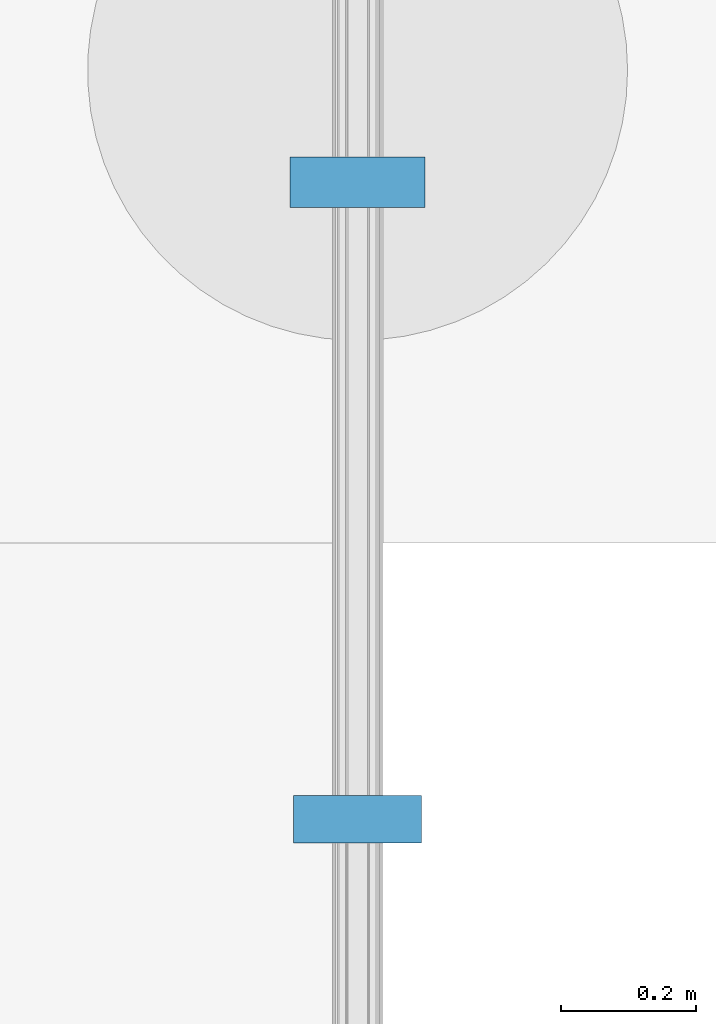
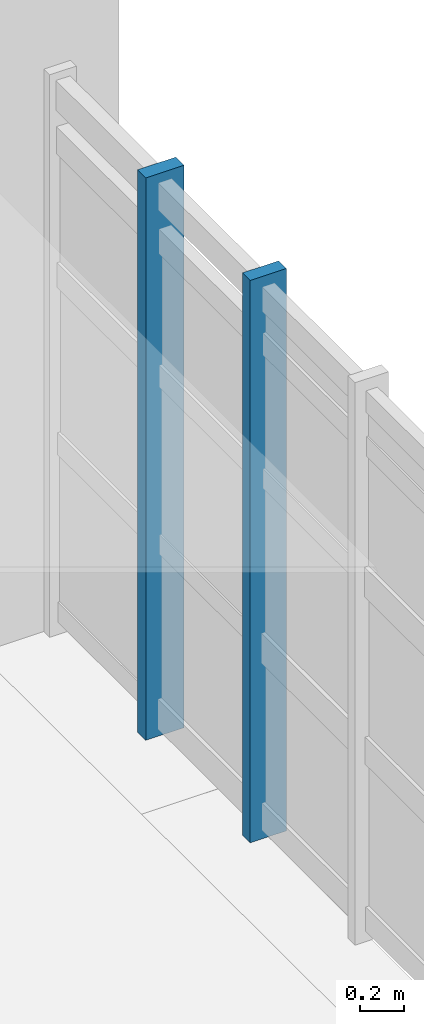
# One storey, part 49 of 125: 2 members, 1 element without a shape of its own.
"""IFC4 building model written with IfcOpenShell, lengths in metres."""

from ifc_helpers import new_model, si_unit, direction, frame, origin, origin_2d, place, context, subcontext, project, spatial, rectangle, extrude, material, material_profile, profile_set, type_object, element, aggregate, save


model = new_model("IFC4")

# Units and contexts
model_context = context("Model", 3, precision=1e-05, world=origin(), true_north=direction((0.0, 1.0)))
body_context = subcontext(model_context, "Body", "Model", "MODEL_VIEW")
ifc_project = project(units=[si_unit("LENGTHUNIT", "METRE"), si_unit("AREAUNIT", "SQUARE_METRE"), si_unit("VOLUMEUNIT", "CUBIC_METRE"), si_unit("PLANEANGLEUNIT", "RADIAN"), si_unit("MASSUNIT", "GRAM", prefix="KILO")], contexts=[model_context])

# Site, building, storey
site_placement = place(None, origin())
site = spatial("IfcSite", under=ifc_project, at=site_placement, CompositionType="ELEMENT")
building_placement = place(site_placement, origin())
building = spatial("IfcBuilding", under=site, at=building_placement, Name="Serraforn Aerial Cableway Station", CompositionType="ELEMENT")
storey_placement = place(building_placement, frame((0.0, 0.0, 4.5)))
storey = spatial("IfcBuildingStorey", under=building, at=storey_placement, Name="L01", CompositionType="ELEMENT", Elevation=4.5)

# Curtain wall, members
ifc_material_1 = material(Name="Anodised bronze unitised curtain wall")
curtain_wall_type = type_object("IfcCurtainWallType", Name="CW-SYS-18", PredefinedType="USERDEFINED", material=ifc_material_1)
curtain_wall_placement = place(storey_placement, origin())
curtain_wall = element("IfcCurtainWall", 1, at=curtain_wall_placement, inside=storey, type_object=curtain_wall_type, Name="Unitised Curtain Wall CW-EG-L01-E6B", ObjectType="UNITISED CURTAIN WALL", PredefinedType="USERDEFINED")
ifc_material_2 = material(Name="Anodised bronze extruded aluminium", Category="aluminium")
ifc_material_profile_1 = material_profile(ifc_material_2, rectangle(XDim=0.070068359375, YDim=0.18994140625, at=origin_2d()), Name="CW MULLION 70x190")
ifc_profile_set_1 = profile_set([ifc_material_profile_1], Name="Anodised bronze extruded aluminium")
member_type_1 = type_object("IfcMemberType", Name="CW-MUL-4", PredefinedType="MULLION", material=ifc_profile_set_1)
member_1_placement = place(storey_placement, frame((168.0, 94.69091796875, 0.0), z_axis=(0.0, 0.0, 1.0), x_axis=(0.0, 1.0, 0.0)))
member_1 = element("IfcMember", 2, at=member_1_placement, type_object=member_type_1, Name="Curtain Wall Mullion CW-EG-L01-E6B-M3", PredefinedType="MULLION", context=body_context, shape_type="SweptSolid", body=[
    extrude(rectangle(XDim=0.070068359375, YDim=0.18994140625, at=origin_2d()), origin(), (0.0, 0.0, 1.0), 3.1201171875),
])
ifc_material_profile_2 = material_profile(ifc_material_2, rectangle(XDim=0.074951171875, YDim=0.199951171875, at=origin_2d()), Name="CW MULLION 75x200")
ifc_profile_set_2 = profile_set([ifc_material_profile_2], Name="Anodised bronze extruded aluminium")
member_type_2 = type_object("IfcMemberType", Name="CW-MUL-5", PredefinedType="MULLION", material=ifc_profile_set_2)
member_2_placement = place(storey_placement, frame((168.0, 95.634033203125, 0.0), z_axis=(0.0, 0.0, 1.0), x_axis=(0.0, 1.0, 0.0)))
member_2 = element("IfcMember", 3, at=member_2_placement, type_object=member_type_2, Name="Curtain Wall Mullion CW-EG-L01-E6B-M4", PredefinedType="MULLION", context=body_context, shape_type="SweptSolid", body=[
    extrude(rectangle(XDim=0.074951171875, YDim=0.199951171875, at=origin_2d()), origin(), (0.0, 0.0, 1.0), 3.1201171875),
])
aggregate(curtain_wall, [member_1, member_2])

save(model, "model.ifc")
